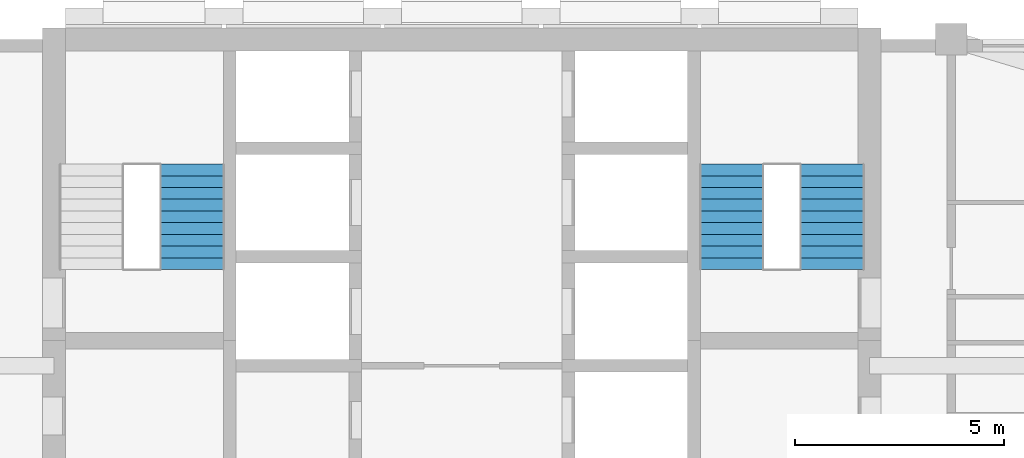
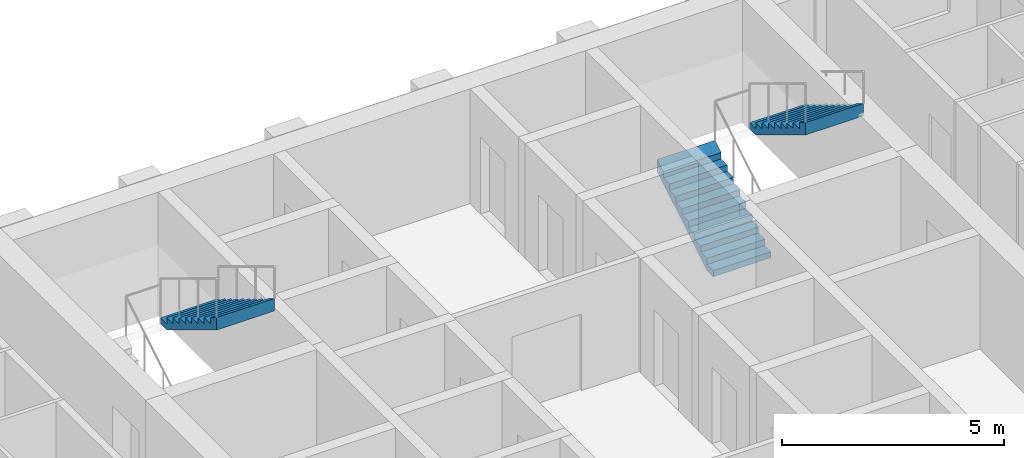
# One storey, part 11 of 13: 3 stair flights, 2 elements without a shape of their own.
"""IFC4 building model written with IfcOpenShell, lengths in metres."""

from ifc_helpers import new_model, si_unit, direction, frame, origin, place, context, subcontext, project, spatial, triangles, material, type_object, element, aggregate, save


model = new_model("IFC4")

# Units and contexts
model_context = context("Model", 3, precision=1e-05, world=origin(), true_north=direction((0.0, 1.0)))
body_context = subcontext(model_context, "Body", "Model", "MODEL_VIEW")
ifc_project = project(units=[si_unit("LENGTHUNIT", "METRE"), si_unit("AREAUNIT", "SQUARE_METRE"), si_unit("VOLUMEUNIT", "CUBIC_METRE"), si_unit("PLANEANGLEUNIT", "RADIAN"), si_unit("MASSUNIT", "GRAM", prefix="KILO")], contexts=[model_context])

# Site, building, storey
site_placement = place(None, origin())
site = spatial("IfcSite", under=ifc_project, at=site_placement, CompositionType="ELEMENT")
building_placement = place(site_placement, origin())
building = spatial("IfcBuilding", under=site, at=building_placement, Name="Ludao Terraces", CompositionType="ELEMENT")
storey_placement = place(building_placement, frame((0.0, 0.0, 186.0)))
storey = spatial("IfcBuildingStorey", under=building, at=storey_placement, Name="L50", CompositionType="ELEMENT", Elevation=186.0)

# Stair, stair flight
ifc_material = material(Name="Concrete C40", Category="concrete")
stair_type = type_object("IfcStairType", Name="INT Stair", PredefinedType="HALF_TURN_STAIR", material=ifc_material)
stair_1_placement = place(storey_placement, origin())
stair_1 = element("IfcStair", 1, at=stair_1_placement, inside=storey, type_object=stair_type, Name="EXIT STAIR 1", PredefinedType="HALF_TURN_STAIR")
stair_flight_type = type_object("IfcStairFlightType", Name="INT Stair flight", PredefinedType="STRAIGHT", material=ifc_material)
stair_flight_1_placement = place(storey_placement, frame((78.550048828125, 81.52001953125, 1.699951171875), z_axis=(0.0, 0.0, 1.0), x_axis=(0.0, -1.0, 0.0)))
stair_flight_1 = element("IfcStairFlight", 2, at=stair_flight_1_placement, type_object=stair_flight_type, Name="ST1 flight 2", NumberOfRisers=10, NumberOfTreads=9, PredefinedType="STRAIGHT", RiserHeight=0.17, TreadLength=0.28, context=body_context, shape_type="Tessellation", body=[
    triangles([(0.0, -0.75, 0.0), (0.0, -0.5, 0.0), (0.0, -0.25, 0.0), (0.0, 0.0, 0.0), (0.0, 0.25, 0.0), (0.0, 0.5, 0.0), (0.0, 0.75, 0.0), (0.0, -0.75, 0.169921875), (0.0, -0.5, 0.169921875), (0.0, -0.25, 0.169921875), (0.0, 0.0, 0.169921875), (0.0, 0.25, 0.169921875), (0.0, 0.5, 0.169921875), (0.0, 0.75, 0.169921875), (0.280029296875, -0.75, 0.169921875), (0.280029296875, -0.5, 0.169921875), (0.280029296875, -0.25, 0.169921875), (0.280029296875, 0.0, 0.169921875), (0.280029296875, 0.25, 0.169921875), (0.280029296875, 0.5, 0.169921875), (0.280029296875, 0.75, 0.169921875), (0.280029296875, -0.75, 0.340087890625), (0.280029296875, -0.5, 0.340087890625), (0.280029296875, -0.25, 0.340087890625), (0.280029296875, 0.0, 0.340087890625), (0.280029296875, 0.25, 0.340087890625), (0.280029296875, 0.5, 0.340087890625), (0.280029296875, 0.75, 0.340087890625), (0.56005859375, -0.75, 0.340087890625), (0.56005859375, -0.5, 0.340087890625), (0.56005859375, -0.25, 0.340087890625), (0.56005859375, 0.0, 0.340087890625), (0.56005859375, 0.25, 0.340087890625), (0.56005859375, 0.5, 0.340087890625), (0.56005859375, 0.75, 0.340087890625), (0.56005859375, -0.75, 0.510009765625), (0.56005859375, -0.5, 0.510009765625), (0.56005859375, -0.25, 0.510009765625), (0.56005859375, 0.0, 0.510009765625), (0.56005859375, 0.25, 0.510009765625), (0.56005859375, 0.5, 0.510009765625), (0.56005859375, 0.75, 0.510009765625), (0.840087890625, -0.75, 0.510009765625), (0.840087890625, -0.5, 0.510009765625), (0.840087890625, -0.25, 0.510009765625), (0.840087890625, 0.0, 0.510009765625), (0.840087890625, 0.25, 0.510009765625), (0.840087890625, 0.5, 0.510009765625), (0.840087890625, 0.75, 0.510009765625), (0.840087890625, -0.75, 0.679931640625), (0.840087890625, -0.5, 0.679931640625), (0.840087890625, -0.25, 0.679931640625), (0.840087890625, 0.0, 0.679931640625), (0.840087890625, 0.25, 0.679931640625), (0.840087890625, 0.5, 0.679931640625), (0.840087890625, 0.75, 0.679931640625), (1.1201171875, -0.75, 0.679931640625), (1.1201171875, -0.5, 0.679931640625), (1.1201171875, -0.25, 0.679931640625), (1.1201171875, 0.0, 0.679931640625), (1.1201171875, 0.25, 0.679931640625), (1.1201171875, 0.5, 0.679931640625), (1.1201171875, 0.75, 0.679931640625), (1.1201171875, -0.75, 0.85009765625), (1.1201171875, -0.5, 0.85009765625), (1.1201171875, -0.25, 0.85009765625), (1.1201171875, 0.0, 0.85009765625), (1.1201171875, 0.25, 0.85009765625), (1.1201171875, 0.5, 0.85009765625), (1.1201171875, 0.75, 0.85009765625), (1.39990234375, -0.75, 0.85009765625), (1.39990234375, -0.5, 0.85009765625), (1.39990234375, -0.25, 0.85009765625), (1.39990234375, 0.0, 0.85009765625), (1.39990234375, 0.25, 0.85009765625), (1.39990234375, 0.5, 0.85009765625), (1.39990234375, 0.75, 0.85009765625), (1.39990234375, -0.75, 1.02001953125), (1.39990234375, -0.5, 1.02001953125), (1.39990234375, -0.25, 1.02001953125), (1.39990234375, 0.0, 1.02001953125), (1.39990234375, 0.25, 1.02001953125), (1.39990234375, 0.5, 1.02001953125), (1.39990234375, 0.75, 1.02001953125), (1.679931640625, -0.75, 1.02001953125), (1.679931640625, -0.5, 1.02001953125), (1.679931640625, -0.25, 1.02001953125), (1.679931640625, 0.0, 1.02001953125), (1.679931640625, 0.25, 1.02001953125), (1.679931640625, 0.5, 1.02001953125), (1.679931640625, 0.75, 1.02001953125), (1.679931640625, -0.75, 1.18994140625), (1.679931640625, -0.5, 1.18994140625), (1.679931640625, -0.25, 1.18994140625), (1.679931640625, 0.0, 1.18994140625), (1.679931640625, 0.25, 1.18994140625), (1.679931640625, 0.5, 1.18994140625), (1.679931640625, 0.75, 1.18994140625), (1.9599609375, -0.75, 1.18994140625), (1.9599609375, -0.5, 1.18994140625), (1.9599609375, -0.25, 1.18994140625), (1.9599609375, 0.0, 1.18994140625), (1.9599609375, 0.25, 1.18994140625), (1.9599609375, 0.5, 1.18994140625), (1.9599609375, 0.75, 1.18994140625), (1.9599609375, -0.75, 1.360107421875), (1.9599609375, -0.5, 1.360107421875), (1.9599609375, -0.25, 1.360107421875), (1.9599609375, 0.0, 1.360107421875), (1.9599609375, 0.25, 1.360107421875), (1.9599609375, 0.5, 1.360107421875), (1.9599609375, 0.75, 1.360107421875), (2.239990234375, -0.75, 1.360107421875), (2.239990234375, -0.5, 1.360107421875), (2.239990234375, -0.25, 1.360107421875), (2.239990234375, 0.0, 1.360107421875), (2.239990234375, 0.25, 1.360107421875), (2.239990234375, 0.5, 1.360107421875), (2.239990234375, 0.75, 1.360107421875), (2.239990234375, -0.75, 1.530029296875), (2.239990234375, -0.5, 1.530029296875), (2.239990234375, -0.25, 1.530029296875), (2.239990234375, 0.0, 1.530029296875), (2.239990234375, 0.25, 1.530029296875), (2.239990234375, 0.5, 1.530029296875), (2.239990234375, 0.75, 1.530029296875), (2.52001953125, -0.75, 1.699951171875), (2.52001953125, -0.5, 1.699951171875), (2.52001953125, -0.25, 1.699951171875), (2.52001953125, 0.0, 1.699951171875), (2.52001953125, 0.25, 1.699951171875), (2.52001953125, 0.5, 1.699951171875), (2.52001953125, 0.75, 1.699951171875), (2.52001953125, -0.75, 1.354736328125), (2.52001953125, -0.5, 1.354736328125), (2.52001953125, -0.25, 1.354736328125), (2.52001953125, 0.0, 1.354736328125), (2.52001953125, 0.25, 1.354736328125), (2.52001953125, 0.5, 1.354736328125), (2.52001953125, 0.75, 1.354736328125), (0.288818359375, -0.75, 0.0), (0.288818359375, -0.5, 0.0), (0.288818359375, -0.25, 0.0), (0.288818359375, 0.0, 0.0), (0.288818359375, 0.25, 0.0), (0.288818359375, 0.5, 0.0), (0.288818359375, 0.75, 0.0)], [[1, 141, 134], [7, 140, 147], [134, 127, 120], [140, 126, 133], [134, 120, 113], [140, 119, 126], [134, 113, 106], [140, 112, 119], [134, 106, 99], [140, 105, 112], [99, 92, 85], [105, 91, 98], [134, 99, 85], [140, 91, 105], [85, 78, 71], [91, 77, 84], [134, 85, 71], [140, 77, 91], [71, 64, 57], [77, 63, 70], [134, 71, 57], [140, 63, 77], [57, 50, 43], [63, 49, 56], [134, 57, 43], [140, 49, 63], [43, 36, 29], [49, 35, 42], [134, 43, 29], [140, 35, 49], [29, 22, 15], [35, 21, 28], [134, 29, 15], [140, 21, 35], [1, 134, 15], [7, 21, 140], [15, 8, 1], [21, 7, 14], [1, 9, 2], [1, 8, 9], [2, 10, 3], [2, 9, 10], [3, 11, 4], [3, 10, 11], [4, 12, 5], [4, 11, 12], [5, 13, 6], [5, 12, 13], [6, 14, 7], [6, 13, 14], [8, 16, 9], [8, 15, 16], [9, 17, 10], [9, 16, 17], [10, 18, 11], [10, 17, 18], [11, 19, 12], [11, 18, 19], [12, 20, 13], [12, 19, 20], [13, 21, 14], [13, 20, 21], [15, 23, 16], [15, 22, 23], [16, 24, 17], [16, 23, 24], [17, 25, 18], [17, 24, 25], [18, 26, 19], [18, 25, 26], [19, 27, 20], [19, 26, 27], [20, 28, 21], [20, 27, 28], [22, 30, 23], [22, 29, 30], [23, 31, 24], [23, 30, 31], [24, 32, 25], [24, 31, 32], [25, 33, 26], [25, 32, 33], [26, 34, 27], [26, 33, 34], [27, 35, 28], [27, 34, 35], [29, 37, 30], [29, 36, 37], [30, 38, 31], [30, 37, 38], [31, 39, 32], [31, 38, 39], [32, 40, 33], [32, 39, 40], [33, 41, 34], [33, 40, 41], [34, 42, 35], [34, 41, 42], [36, 44, 37], [36, 43, 44], [37, 45, 38], [37, 44, 45], [38, 46, 39], [38, 45, 46], [39, 47, 40], [39, 46, 47], [40, 48, 41], [40, 47, 48], [41, 49, 42], [41, 48, 49], [43, 51, 44], [43, 50, 51], [44, 52, 45], [44, 51, 52], [45, 53, 46], [45, 52, 53], [46, 54, 47], [46, 53, 54], [47, 55, 48], [47, 54, 55], [48, 56, 49], [48, 55, 56], [50, 58, 51], [50, 57, 58], [51, 59, 52], [51, 58, 59], [52, 60, 53], [52, 59, 60], [53, 61, 54], [53, 60, 61], [54, 62, 55], [54, 61, 62], [55, 63, 56], [55, 62, 63], [57, 65, 58], [57, 64, 65], [58, 66, 59], [58, 65, 66], [59, 67, 60], [59, 66, 67], [60, 68, 61], [60, 67, 68], [61, 69, 62], [61, 68, 69], [62, 70, 63], [62, 69, 70], [64, 72, 65], [64, 71, 72], [65, 73, 66], [65, 72, 73], [66, 74, 67], [66, 73, 74], [67, 75, 68], [67, 74, 75], [68, 76, 69], [68, 75, 76], [69, 77, 70], [69, 76, 77], [71, 79, 72], [71, 78, 79], [72, 80, 73], [72, 79, 80], [73, 81, 74], [73, 80, 81], [74, 82, 75], [74, 81, 82], [75, 83, 76], [75, 82, 83], [76, 84, 77], [76, 83, 84], [78, 86, 79], [78, 85, 86], [79, 87, 80], [79, 86, 87], [80, 88, 81], [80, 87, 88], [81, 89, 82], [81, 88, 89], [82, 90, 83], [82, 89, 90], [83, 91, 84], [83, 90, 91], [85, 93, 86], [85, 92, 93], [86, 94, 87], [86, 93, 94], [87, 95, 88], [87, 94, 95], [88, 96, 89], [88, 95, 96], [89, 97, 90], [89, 96, 97], [90, 98, 91], [90, 97, 98], [92, 100, 93], [92, 99, 100], [93, 101, 94], [93, 100, 101], [94, 102, 95], [94, 101, 102], [95, 103, 96], [95, 102, 103], [96, 104, 97], [96, 103, 104], [97, 105, 98], [97, 104, 105], [99, 107, 100], [99, 106, 107], [100, 108, 101], [100, 107, 108], [101, 109, 102], [101, 108, 109], [102, 110, 103], [102, 109, 110], [103, 111, 104], [103, 110, 111], [104, 112, 105], [104, 111, 112], [106, 114, 107], [106, 113, 114], [107, 115, 108], [107, 114, 115], [108, 116, 109], [108, 115, 116], [109, 117, 110], [109, 116, 117], [110, 118, 111], [110, 117, 118], [111, 119, 112], [111, 118, 119], [113, 121, 114], [113, 120, 121], [114, 122, 115], [114, 121, 122], [115, 123, 116], [115, 122, 123], [116, 124, 117], [116, 123, 124], [117, 125, 118], [117, 124, 125], [118, 126, 119], [118, 125, 126], [120, 128, 121], [120, 127, 128], [121, 129, 122], [121, 128, 129], [122, 130, 123], [122, 129, 130], [123, 131, 124], [123, 130, 131], [124, 132, 125], [124, 131, 132], [125, 133, 126], [125, 132, 133], [127, 135, 128], [127, 134, 135], [128, 136, 129], [128, 135, 136], [129, 137, 130], [129, 136, 137], [130, 138, 131], [130, 137, 138], [131, 139, 132], [131, 138, 139], [132, 140, 133], [132, 139, 140], [134, 142, 135], [134, 141, 142], [135, 143, 136], [135, 142, 143], [136, 144, 137], [136, 143, 144], [137, 145, 138], [137, 144, 145], [138, 146, 139], [138, 145, 146], [139, 147, 140], [139, 146, 147], [141, 2, 142], [141, 1, 2], [142, 3, 143], [142, 2, 3], [143, 4, 144], [143, 3, 4], [144, 5, 145], [144, 4, 5], [145, 6, 146], [145, 5, 6], [146, 7, 147], [146, 6, 7]], closed=True),
])
aggregate(stair_1, [stair_flight_1])

# Stair, stair flights
stair_2_placement = place(storey_placement, origin())
stair_2 = element("IfcStair", 3, at=stair_2_placement, inside=storey, type_object=stair_type, Name="EXIT STAIR 2", PredefinedType="HALF_TURN_STAIR")
stair_flight_2_placement = place(storey_placement, frame((91.449951171875, 79.0, 0.0), z_axis=(0.0, 0.0, 1.0), x_axis=(0.0, 1.0, 0.0)))
stair_flight_2 = element("IfcStairFlight", 4, at=stair_flight_2_placement, type_object=stair_flight_type, Name="ST2 flight 1", NumberOfRisers=10, NumberOfTreads=9, PredefinedType="STRAIGHT", RiserHeight=0.17, TreadLength=0.28, context=body_context, shape_type="Tessellation", body=[
    triangles([(0.0, -0.75, 0.0), (0.0, -0.5, 0.0), (0.0, -0.25, 0.0), (0.0, 0.0, 0.0), (0.0, 0.25, 0.0), (0.0, 0.5, 0.0), (0.0, 0.75, 0.0), (0.0, -0.75, 0.169921875), (0.0, -0.5, 0.169921875), (0.0, -0.25, 0.169921875), (0.0, 0.0, 0.169921875), (0.0, 0.25, 0.169921875), (0.0, 0.5, 0.169921875), (0.0, 0.75, 0.169921875), (0.280029296875, -0.75, 0.169921875), (0.280029296875, -0.5, 0.169921875), (0.280029296875, -0.25, 0.169921875), (0.280029296875, 0.0, 0.169921875), (0.280029296875, 0.25, 0.169921875), (0.280029296875, 0.5, 0.169921875), (0.280029296875, 0.75, 0.169921875), (0.280029296875, -0.75, 0.340087890625), (0.280029296875, -0.5, 0.340087890625), (0.280029296875, -0.25, 0.340087890625), (0.280029296875, 0.0, 0.340087890625), (0.280029296875, 0.25, 0.340087890625), (0.280029296875, 0.5, 0.340087890625), (0.280029296875, 0.75, 0.340087890625), (0.56005859375, -0.75, 0.340087890625), (0.56005859375, -0.5, 0.340087890625), (0.56005859375, -0.25, 0.340087890625), (0.56005859375, 0.0, 0.340087890625), (0.56005859375, 0.25, 0.340087890625), (0.56005859375, 0.5, 0.340087890625), (0.56005859375, 0.75, 0.340087890625), (0.56005859375, -0.75, 0.510009765625), (0.56005859375, -0.5, 0.510009765625), (0.56005859375, -0.25, 0.510009765625), (0.56005859375, 0.0, 0.510009765625), (0.56005859375, 0.25, 0.510009765625), (0.56005859375, 0.5, 0.510009765625), (0.56005859375, 0.75, 0.510009765625), (0.840087890625, -0.75, 0.510009765625), (0.840087890625, -0.5, 0.510009765625), (0.840087890625, -0.25, 0.510009765625), (0.840087890625, 0.0, 0.510009765625), (0.840087890625, 0.25, 0.510009765625), (0.840087890625, 0.5, 0.510009765625), (0.840087890625, 0.75, 0.510009765625), (0.840087890625, -0.75, 0.679931640625), (0.840087890625, -0.5, 0.679931640625), (0.840087890625, -0.25, 0.679931640625), (0.840087890625, 0.0, 0.679931640625), (0.840087890625, 0.25, 0.679931640625), (0.840087890625, 0.5, 0.679931640625), (0.840087890625, 0.75, 0.679931640625), (1.1201171875, -0.75, 0.679931640625), (1.1201171875, -0.5, 0.679931640625), (1.1201171875, -0.25, 0.679931640625), (1.1201171875, 0.0, 0.679931640625), (1.1201171875, 0.25, 0.679931640625), (1.1201171875, 0.5, 0.679931640625), (1.1201171875, 0.75, 0.679931640625), (1.1201171875, -0.75, 0.85009765625), (1.1201171875, -0.5, 0.85009765625), (1.1201171875, -0.25, 0.85009765625), (1.1201171875, 0.0, 0.85009765625), (1.1201171875, 0.25, 0.85009765625), (1.1201171875, 0.5, 0.85009765625), (1.1201171875, 0.75, 0.85009765625), (1.39990234375, -0.75, 0.85009765625), (1.39990234375, -0.5, 0.85009765625), (1.39990234375, -0.25, 0.85009765625), (1.39990234375, 0.0, 0.85009765625), (1.39990234375, 0.25, 0.85009765625), (1.39990234375, 0.5, 0.85009765625), (1.39990234375, 0.75, 0.85009765625), (1.39990234375, -0.75, 1.02001953125), (1.39990234375, -0.5, 1.02001953125), (1.39990234375, -0.25, 1.02001953125), (1.39990234375, 0.0, 1.02001953125), (1.39990234375, 0.25, 1.02001953125), (1.39990234375, 0.5, 1.02001953125), (1.39990234375, 0.75, 1.02001953125), (1.679931640625, -0.75, 1.02001953125), (1.679931640625, -0.5, 1.02001953125), (1.679931640625, -0.25, 1.02001953125), (1.679931640625, 0.0, 1.02001953125), (1.679931640625, 0.25, 1.02001953125), (1.679931640625, 0.5, 1.02001953125), (1.679931640625, 0.75, 1.02001953125), (1.679931640625, -0.75, 1.18994140625), (1.679931640625, -0.5, 1.18994140625), (1.679931640625, -0.25, 1.18994140625), (1.679931640625, 0.0, 1.18994140625), (1.679931640625, 0.25, 1.18994140625), (1.679931640625, 0.5, 1.18994140625), (1.679931640625, 0.75, 1.18994140625), (1.9599609375, -0.75, 1.18994140625), (1.9599609375, -0.5, 1.18994140625), (1.9599609375, -0.25, 1.18994140625), (1.9599609375, 0.0, 1.18994140625), (1.9599609375, 0.25, 1.18994140625), (1.9599609375, 0.5, 1.18994140625), (1.9599609375, 0.75, 1.18994140625), (1.9599609375, -0.75, 1.360107421875), (1.9599609375, -0.5, 1.360107421875), (1.9599609375, -0.25, 1.360107421875), (1.9599609375, 0.0, 1.360107421875), (1.9599609375, 0.25, 1.360107421875), (1.9599609375, 0.5, 1.360107421875), (1.9599609375, 0.75, 1.360107421875), (2.239990234375, -0.75, 1.360107421875), (2.239990234375, -0.5, 1.360107421875), (2.239990234375, -0.25, 1.360107421875), (2.239990234375, 0.0, 1.360107421875), (2.239990234375, 0.25, 1.360107421875), (2.239990234375, 0.5, 1.360107421875), (2.239990234375, 0.75, 1.360107421875), (2.239990234375, -0.75, 1.530029296875), (2.239990234375, -0.5, 1.530029296875), (2.239990234375, -0.25, 1.530029296875), (2.239990234375, 0.0, 1.530029296875), (2.239990234375, 0.25, 1.530029296875), (2.239990234375, 0.5, 1.530029296875), (2.239990234375, 0.75, 1.530029296875), (2.52001953125, -0.75, 1.699951171875), (2.52001953125, -0.5, 1.699951171875), (2.52001953125, -0.25, 1.699951171875), (2.52001953125, 0.0, 1.699951171875), (2.52001953125, 0.25, 1.699951171875), (2.52001953125, 0.5, 1.699951171875), (2.52001953125, 0.75, 1.699951171875), (2.52001953125, -0.75, 1.354736328125), (2.52001953125, -0.5, 1.354736328125), (2.52001953125, -0.25, 1.354736328125), (2.52001953125, 0.0, 1.354736328125), (2.52001953125, 0.25, 1.354736328125), (2.52001953125, 0.5, 1.354736328125), (2.52001953125, 0.75, 1.354736328125), (0.288818359375, -0.75, 0.0), (0.288818359375, -0.5, 0.0), (0.288818359375, -0.25, 0.0), (0.288818359375, 0.0, 0.0), (0.288818359375, 0.25, 0.0), (0.288818359375, 0.5, 0.0), (0.288818359375, 0.75, 0.0)], [[1, 141, 134], [7, 140, 147], [134, 127, 120], [140, 126, 133], [134, 120, 113], [140, 119, 126], [134, 113, 106], [140, 112, 119], [134, 106, 99], [140, 105, 112], [99, 92, 85], [105, 91, 98], [134, 99, 85], [140, 91, 105], [85, 78, 71], [91, 77, 84], [134, 85, 71], [140, 77, 91], [71, 64, 57], [77, 63, 70], [134, 71, 57], [140, 63, 77], [57, 50, 43], [63, 49, 56], [134, 57, 43], [140, 49, 63], [43, 36, 29], [49, 35, 42], [134, 43, 29], [140, 35, 49], [29, 22, 15], [35, 21, 28], [134, 29, 15], [140, 21, 35], [1, 134, 15], [7, 21, 140], [15, 8, 1], [21, 7, 14], [1, 9, 2], [1, 8, 9], [2, 10, 3], [2, 9, 10], [3, 11, 4], [3, 10, 11], [4, 12, 5], [4, 11, 12], [5, 13, 6], [5, 12, 13], [6, 14, 7], [6, 13, 14], [8, 16, 9], [8, 15, 16], [9, 17, 10], [9, 16, 17], [10, 18, 11], [10, 17, 18], [11, 19, 12], [11, 18, 19], [12, 20, 13], [12, 19, 20], [13, 21, 14], [13, 20, 21], [15, 23, 16], [15, 22, 23], [16, 24, 17], [16, 23, 24], [17, 25, 18], [17, 24, 25], [18, 26, 19], [18, 25, 26], [19, 27, 20], [19, 26, 27], [20, 28, 21], [20, 27, 28], [22, 30, 23], [22, 29, 30], [23, 31, 24], [23, 30, 31], [24, 32, 25], [24, 31, 32], [25, 33, 26], [25, 32, 33], [26, 34, 27], [26, 33, 34], [27, 35, 28], [27, 34, 35], [29, 37, 30], [29, 36, 37], [30, 38, 31], [30, 37, 38], [31, 39, 32], [31, 38, 39], [32, 40, 33], [32, 39, 40], [33, 41, 34], [33, 40, 41], [34, 42, 35], [34, 41, 42], [36, 44, 37], [36, 43, 44], [37, 45, 38], [37, 44, 45], [38, 46, 39], [38, 45, 46], [39, 47, 40], [39, 46, 47], [40, 48, 41], [40, 47, 48], [41, 49, 42], [41, 48, 49], [43, 51, 44], [43, 50, 51], [44, 52, 45], [44, 51, 52], [45, 53, 46], [45, 52, 53], [46, 54, 47], [46, 53, 54], [47, 55, 48], [47, 54, 55], [48, 56, 49], [48, 55, 56], [50, 58, 51], [50, 57, 58], [51, 59, 52], [51, 58, 59], [52, 60, 53], [52, 59, 60], [53, 61, 54], [53, 60, 61], [54, 62, 55], [54, 61, 62], [55, 63, 56], [55, 62, 63], [57, 65, 58], [57, 64, 65], [58, 66, 59], [58, 65, 66], [59, 67, 60], [59, 66, 67], [60, 68, 61], [60, 67, 68], [61, 69, 62], [61, 68, 69], [62, 70, 63], [62, 69, 70], [64, 72, 65], [64, 71, 72], [65, 73, 66], [65, 72, 73], [66, 74, 67], [66, 73, 74], [67, 75, 68], [67, 74, 75], [68, 76, 69], [68, 75, 76], [69, 77, 70], [69, 76, 77], [71, 79, 72], [71, 78, 79], [72, 80, 73], [72, 79, 80], [73, 81, 74], [73, 80, 81], [74, 82, 75], [74, 81, 82], [75, 83, 76], [75, 82, 83], [76, 84, 77], [76, 83, 84], [78, 86, 79], [78, 85, 86], [79, 87, 80], [79, 86, 87], [80, 88, 81], [80, 87, 88], [81, 89, 82], [81, 88, 89], [82, 90, 83], [82, 89, 90], [83, 91, 84], [83, 90, 91], [85, 93, 86], [85, 92, 93], [86, 94, 87], [86, 93, 94], [87, 95, 88], [87, 94, 95], [88, 96, 89], [88, 95, 96], [89, 97, 90], [89, 96, 97], [90, 98, 91], [90, 97, 98], [92, 100, 93], [92, 99, 100], [93, 101, 94], [93, 100, 101], [94, 102, 95], [94, 101, 102], [95, 103, 96], [95, 102, 103], [96, 104, 97], [96, 103, 104], [97, 105, 98], [97, 104, 105], [99, 107, 100], [99, 106, 107], [100, 108, 101], [100, 107, 108], [101, 109, 102], [101, 108, 109], [102, 110, 103], [102, 109, 110], [103, 111, 104], [103, 110, 111], [104, 112, 105], [104, 111, 112], [106, 114, 107], [106, 113, 114], [107, 115, 108], [107, 114, 115], [108, 116, 109], [108, 115, 116], [109, 117, 110], [109, 116, 117], [110, 118, 111], [110, 117, 118], [111, 119, 112], [111, 118, 119], [113, 121, 114], [113, 120, 121], [114, 122, 115], [114, 121, 122], [115, 123, 116], [115, 122, 123], [116, 124, 117], [116, 123, 124], [117, 125, 118], [117, 124, 125], [118, 126, 119], [118, 125, 126], [120, 128, 121], [120, 127, 128], [121, 129, 122], [121, 128, 129], [122, 130, 123], [122, 129, 130], [123, 131, 124], [123, 130, 131], [124, 132, 125], [124, 131, 132], [125, 133, 126], [125, 132, 133], [127, 135, 128], [127, 134, 135], [128, 136, 129], [128, 135, 136], [129, 137, 130], [129, 136, 137], [130, 138, 131], [130, 137, 138], [131, 139, 132], [131, 138, 139], [132, 140, 133], [132, 139, 140], [134, 142, 135], [134, 141, 142], [135, 143, 136], [135, 142, 143], [136, 144, 137], [136, 143, 144], [137, 145, 138], [137, 144, 145], [138, 146, 139], [138, 145, 146], [139, 147, 140], [139, 146, 147], [141, 2, 142], [141, 1, 2], [142, 3, 143], [142, 2, 3], [143, 4, 144], [143, 3, 4], [144, 5, 145], [144, 4, 5], [145, 6, 146], [145, 5, 6], [146, 7, 147], [146, 6, 7]], closed=True),
])
stair_flight_3_placement = place(storey_placement, frame((93.85009765625, 81.52001953125, 1.699951171875), z_axis=(0.0, 0.0, 1.0), x_axis=(0.0, -1.0, 0.0)))
stair_flight_3 = element("IfcStairFlight", 5, at=stair_flight_3_placement, type_object=stair_flight_type, Name="ST2 flight 2", NumberOfRisers=10, NumberOfTreads=9, PredefinedType="STRAIGHT", RiserHeight=0.17, TreadLength=0.28, context=body_context, shape_type="Tessellation", body=[
    triangles([(0.0, -0.75, 0.0), (0.0, -0.5, 0.0), (0.0, -0.25, 0.0), (0.0, 0.0, 0.0), (0.0, 0.25, 0.0), (0.0, 0.5, 0.0), (0.0, 0.75, 0.0), (0.0, -0.75, 0.169921875), (0.0, -0.5, 0.169921875), (0.0, -0.25, 0.169921875), (0.0, 0.0, 0.169921875), (0.0, 0.25, 0.169921875), (0.0, 0.5, 0.169921875), (0.0, 0.75, 0.169921875), (0.280029296875, -0.75, 0.169921875), (0.280029296875, -0.5, 0.169921875), (0.280029296875, -0.25, 0.169921875), (0.280029296875, 0.0, 0.169921875), (0.280029296875, 0.25, 0.169921875), (0.280029296875, 0.5, 0.169921875), (0.280029296875, 0.75, 0.169921875), (0.280029296875, -0.75, 0.340087890625), (0.280029296875, -0.5, 0.340087890625), (0.280029296875, -0.25, 0.340087890625), (0.280029296875, 0.0, 0.340087890625), (0.280029296875, 0.25, 0.340087890625), (0.280029296875, 0.5, 0.340087890625), (0.280029296875, 0.75, 0.340087890625), (0.56005859375, -0.75, 0.340087890625), (0.56005859375, -0.5, 0.340087890625), (0.56005859375, -0.25, 0.340087890625), (0.56005859375, 0.0, 0.340087890625), (0.56005859375, 0.25, 0.340087890625), (0.56005859375, 0.5, 0.340087890625), (0.56005859375, 0.75, 0.340087890625), (0.56005859375, -0.75, 0.510009765625), (0.56005859375, -0.5, 0.510009765625), (0.56005859375, -0.25, 0.510009765625), (0.56005859375, 0.0, 0.510009765625), (0.56005859375, 0.25, 0.510009765625), (0.56005859375, 0.5, 0.510009765625), (0.56005859375, 0.75, 0.510009765625), (0.840087890625, -0.75, 0.510009765625), (0.840087890625, -0.5, 0.510009765625), (0.840087890625, -0.25, 0.510009765625), (0.840087890625, 0.0, 0.510009765625), (0.840087890625, 0.25, 0.510009765625), (0.840087890625, 0.5, 0.510009765625), (0.840087890625, 0.75, 0.510009765625), (0.840087890625, -0.75, 0.679931640625), (0.840087890625, -0.5, 0.679931640625), (0.840087890625, -0.25, 0.679931640625), (0.840087890625, 0.0, 0.679931640625), (0.840087890625, 0.25, 0.679931640625), (0.840087890625, 0.5, 0.679931640625), (0.840087890625, 0.75, 0.679931640625), (1.1201171875, -0.75, 0.679931640625), (1.1201171875, -0.5, 0.679931640625), (1.1201171875, -0.25, 0.679931640625), (1.1201171875, 0.0, 0.679931640625), (1.1201171875, 0.25, 0.679931640625), (1.1201171875, 0.5, 0.679931640625), (1.1201171875, 0.75, 0.679931640625), (1.1201171875, -0.75, 0.85009765625), (1.1201171875, -0.5, 0.85009765625), (1.1201171875, -0.25, 0.85009765625), (1.1201171875, 0.0, 0.85009765625), (1.1201171875, 0.25, 0.85009765625), (1.1201171875, 0.5, 0.85009765625), (1.1201171875, 0.75, 0.85009765625), (1.39990234375, -0.75, 0.85009765625), (1.39990234375, -0.5, 0.85009765625), (1.39990234375, -0.25, 0.85009765625), (1.39990234375, 0.0, 0.85009765625), (1.39990234375, 0.25, 0.85009765625), (1.39990234375, 0.5, 0.85009765625), (1.39990234375, 0.75, 0.85009765625), (1.39990234375, -0.75, 1.02001953125), (1.39990234375, -0.5, 1.02001953125), (1.39990234375, -0.25, 1.02001953125), (1.39990234375, 0.0, 1.02001953125), (1.39990234375, 0.25, 1.02001953125), (1.39990234375, 0.5, 1.02001953125), (1.39990234375, 0.75, 1.02001953125), (1.679931640625, -0.75, 1.02001953125), (1.679931640625, -0.5, 1.02001953125), (1.679931640625, -0.25, 1.02001953125), (1.679931640625, 0.0, 1.02001953125), (1.679931640625, 0.25, 1.02001953125), (1.679931640625, 0.5, 1.02001953125), (1.679931640625, 0.75, 1.02001953125), (1.679931640625, -0.75, 1.18994140625), (1.679931640625, -0.5, 1.18994140625), (1.679931640625, -0.25, 1.18994140625), (1.679931640625, 0.0, 1.18994140625), (1.679931640625, 0.25, 1.18994140625), (1.679931640625, 0.5, 1.18994140625), (1.679931640625, 0.75, 1.18994140625), (1.9599609375, -0.75, 1.18994140625), (1.9599609375, -0.5, 1.18994140625), (1.9599609375, -0.25, 1.18994140625), (1.9599609375, 0.0, 1.18994140625), (1.9599609375, 0.25, 1.18994140625), (1.9599609375, 0.5, 1.18994140625), (1.9599609375, 0.75, 1.18994140625), (1.9599609375, -0.75, 1.360107421875), (1.9599609375, -0.5, 1.360107421875), (1.9599609375, -0.25, 1.360107421875), (1.9599609375, 0.0, 1.360107421875), (1.9599609375, 0.25, 1.360107421875), (1.9599609375, 0.5, 1.360107421875), (1.9599609375, 0.75, 1.360107421875), (2.239990234375, -0.75, 1.360107421875), (2.239990234375, -0.5, 1.360107421875), (2.239990234375, -0.25, 1.360107421875), (2.239990234375, 0.0, 1.360107421875), (2.239990234375, 0.25, 1.360107421875), (2.239990234375, 0.5, 1.360107421875), (2.239990234375, 0.75, 1.360107421875), (2.239990234375, -0.75, 1.530029296875), (2.239990234375, -0.5, 1.530029296875), (2.239990234375, -0.25, 1.530029296875), (2.239990234375, 0.0, 1.530029296875), (2.239990234375, 0.25, 1.530029296875), (2.239990234375, 0.5, 1.530029296875), (2.239990234375, 0.75, 1.530029296875), (2.52001953125, -0.75, 1.699951171875), (2.52001953125, -0.5, 1.699951171875), (2.52001953125, -0.25, 1.699951171875), (2.52001953125, 0.0, 1.699951171875), (2.52001953125, 0.25, 1.699951171875), (2.52001953125, 0.5, 1.699951171875), (2.52001953125, 0.75, 1.699951171875), (2.52001953125, -0.75, 1.354736328125), (2.52001953125, -0.5, 1.354736328125), (2.52001953125, -0.25, 1.354736328125), (2.52001953125, 0.0, 1.354736328125), (2.52001953125, 0.25, 1.354736328125), (2.52001953125, 0.5, 1.354736328125), (2.52001953125, 0.75, 1.354736328125), (0.288818359375, -0.75, 0.0), (0.288818359375, -0.5, 0.0), (0.288818359375, -0.25, 0.0), (0.288818359375, 0.0, 0.0), (0.288818359375, 0.25, 0.0), (0.288818359375, 0.5, 0.0), (0.288818359375, 0.75, 0.0)], [[1, 141, 134], [7, 140, 147], [134, 127, 120], [140, 126, 133], [134, 120, 113], [140, 119, 126], [134, 113, 106], [140, 112, 119], [134, 106, 99], [140, 105, 112], [99, 92, 85], [105, 91, 98], [134, 99, 85], [140, 91, 105], [85, 78, 71], [91, 77, 84], [134, 85, 71], [140, 77, 91], [71, 64, 57], [77, 63, 70], [134, 71, 57], [140, 63, 77], [57, 50, 43], [63, 49, 56], [134, 57, 43], [140, 49, 63], [43, 36, 29], [49, 35, 42], [134, 43, 29], [140, 35, 49], [29, 22, 15], [35, 21, 28], [134, 29, 15], [140, 21, 35], [1, 134, 15], [7, 21, 140], [15, 8, 1], [21, 7, 14], [1, 9, 2], [1, 8, 9], [2, 10, 3], [2, 9, 10], [3, 11, 4], [3, 10, 11], [4, 12, 5], [4, 11, 12], [5, 13, 6], [5, 12, 13], [6, 14, 7], [6, 13, 14], [8, 16, 9], [8, 15, 16], [9, 17, 10], [9, 16, 17], [10, 18, 11], [10, 17, 18], [11, 19, 12], [11, 18, 19], [12, 20, 13], [12, 19, 20], [13, 21, 14], [13, 20, 21], [15, 23, 16], [15, 22, 23], [16, 24, 17], [16, 23, 24], [17, 25, 18], [17, 24, 25], [18, 26, 19], [18, 25, 26], [19, 27, 20], [19, 26, 27], [20, 28, 21], [20, 27, 28], [22, 30, 23], [22, 29, 30], [23, 31, 24], [23, 30, 31], [24, 32, 25], [24, 31, 32], [25, 33, 26], [25, 32, 33], [26, 34, 27], [26, 33, 34], [27, 35, 28], [27, 34, 35], [29, 37, 30], [29, 36, 37], [30, 38, 31], [30, 37, 38], [31, 39, 32], [31, 38, 39], [32, 40, 33], [32, 39, 40], [33, 41, 34], [33, 40, 41], [34, 42, 35], [34, 41, 42], [36, 44, 37], [36, 43, 44], [37, 45, 38], [37, 44, 45], [38, 46, 39], [38, 45, 46], [39, 47, 40], [39, 46, 47], [40, 48, 41], [40, 47, 48], [41, 49, 42], [41, 48, 49], [43, 51, 44], [43, 50, 51], [44, 52, 45], [44, 51, 52], [45, 53, 46], [45, 52, 53], [46, 54, 47], [46, 53, 54], [47, 55, 48], [47, 54, 55], [48, 56, 49], [48, 55, 56], [50, 58, 51], [50, 57, 58], [51, 59, 52], [51, 58, 59], [52, 60, 53], [52, 59, 60], [53, 61, 54], [53, 60, 61], [54, 62, 55], [54, 61, 62], [55, 63, 56], [55, 62, 63], [57, 65, 58], [57, 64, 65], [58, 66, 59], [58, 65, 66], [59, 67, 60], [59, 66, 67], [60, 68, 61], [60, 67, 68], [61, 69, 62], [61, 68, 69], [62, 70, 63], [62, 69, 70], [64, 72, 65], [64, 71, 72], [65, 73, 66], [65, 72, 73], [66, 74, 67], [66, 73, 74], [67, 75, 68], [67, 74, 75], [68, 76, 69], [68, 75, 76], [69, 77, 70], [69, 76, 77], [71, 79, 72], [71, 78, 79], [72, 80, 73], [72, 79, 80], [73, 81, 74], [73, 80, 81], [74, 82, 75], [74, 81, 82], [75, 83, 76], [75, 82, 83], [76, 84, 77], [76, 83, 84], [78, 86, 79], [78, 85, 86], [79, 87, 80], [79, 86, 87], [80, 88, 81], [80, 87, 88], [81, 89, 82], [81, 88, 89], [82, 90, 83], [82, 89, 90], [83, 91, 84], [83, 90, 91], [85, 93, 86], [85, 92, 93], [86, 94, 87], [86, 93, 94], [87, 95, 88], [87, 94, 95], [88, 96, 89], [88, 95, 96], [89, 97, 90], [89, 96, 97], [90, 98, 91], [90, 97, 98], [92, 100, 93], [92, 99, 100], [93, 101, 94], [93, 100, 101], [94, 102, 95], [94, 101, 102], [95, 103, 96], [95, 102, 103], [96, 104, 97], [96, 103, 104], [97, 105, 98], [97, 104, 105], [99, 107, 100], [99, 106, 107], [100, 108, 101], [100, 107, 108], [101, 109, 102], [101, 108, 109], [102, 110, 103], [102, 109, 110], [103, 111, 104], [103, 110, 111], [104, 112, 105], [104, 111, 112], [106, 114, 107], [106, 113, 114], [107, 115, 108], [107, 114, 115], [108, 116, 109], [108, 115, 116], [109, 117, 110], [109, 116, 117], [110, 118, 111], [110, 117, 118], [111, 119, 112], [111, 118, 119], [113, 121, 114], [113, 120, 121], [114, 122, 115], [114, 121, 122], [115, 123, 116], [115, 122, 123], [116, 124, 117], [116, 123, 124], [117, 125, 118], [117, 124, 125], [118, 126, 119], [118, 125, 126], [120, 128, 121], [120, 127, 128], [121, 129, 122], [121, 128, 129], [122, 130, 123], [122, 129, 130], [123, 131, 124], [123, 130, 131], [124, 132, 125], [124, 131, 132], [125, 133, 126], [125, 132, 133], [127, 135, 128], [127, 134, 135], [128, 136, 129], [128, 135, 136], [129, 137, 130], [129, 136, 137], [130, 138, 131], [130, 137, 138], [131, 139, 132], [131, 138, 139], [132, 140, 133], [132, 139, 140], [134, 142, 135], [134, 141, 142], [135, 143, 136], [135, 142, 143], [136, 144, 137], [136, 143, 144], [137, 145, 138], [137, 144, 145], [138, 146, 139], [138, 145, 146], [139, 147, 140], [139, 146, 147], [141, 2, 142], [141, 1, 2], [142, 3, 143], [142, 2, 3], [143, 4, 144], [143, 3, 4], [144, 5, 145], [144, 4, 5], [145, 6, 146], [145, 5, 6], [146, 7, 147], [146, 6, 7]], closed=True),
])
aggregate(stair_2, [stair_flight_2, stair_flight_3])

save(model, "model.ifc")
